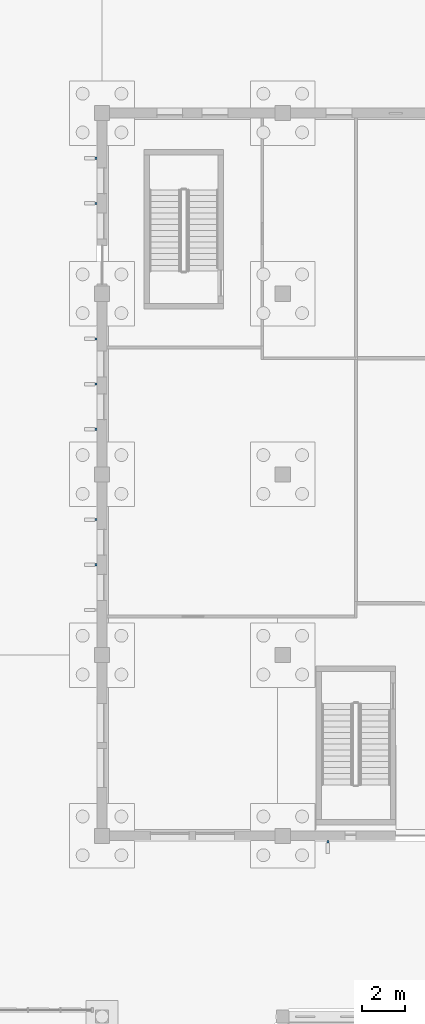
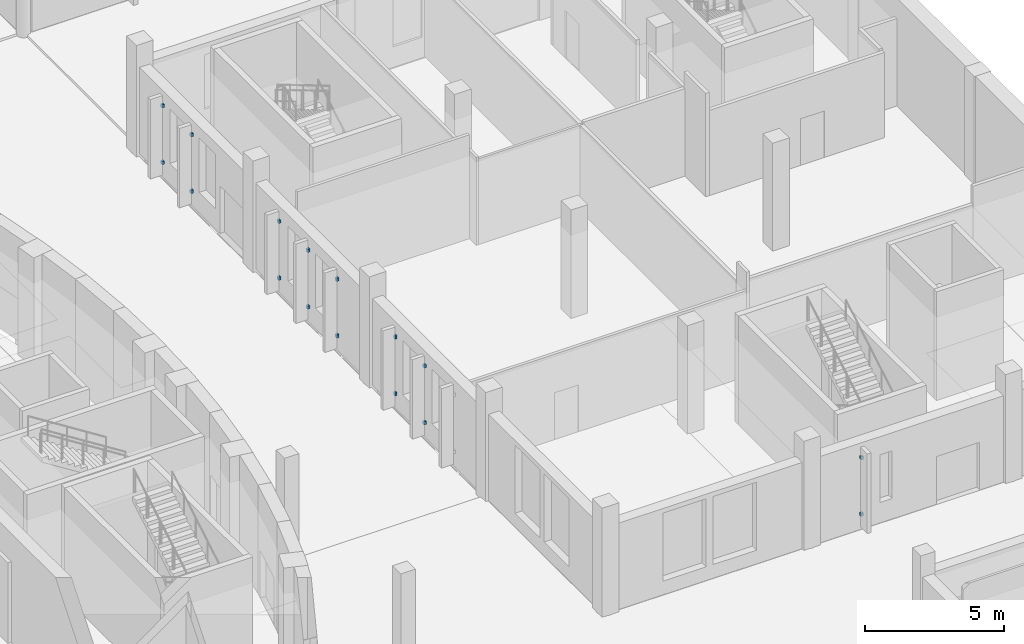
# One storey, part 76 of 110: 16 discrete accessories.
"""IFC4 building model written with IfcOpenShell, lengths in metres."""

from ifc_helpers import new_model, si_unit, direction, frame, origin, origin_2d, place, context, subcontext, project, spatial, rectangle, extrude, material, layer, layer_set, type_object, element, save


model = new_model("IFC4")

# Units and contexts
model_context = context("Model", 3, precision=1e-05, world=origin(), true_north=direction((0.0, 1.0)))
body_context = subcontext(model_context, "Body", "Model", "MODEL_VIEW")
ifc_project = project(units=[si_unit("LENGTHUNIT", "METRE"), si_unit("AREAUNIT", "SQUARE_METRE"), si_unit("VOLUMEUNIT", "CUBIC_METRE"), si_unit("PLANEANGLEUNIT", "RADIAN"), si_unit("MASSUNIT", "GRAM", prefix="KILO")], contexts=[model_context])

# Site, building, storey
site_placement = place(None, origin())
site = spatial("IfcSite", under=ifc_project, at=site_placement, CompositionType="ELEMENT")
building_placement = place(site_placement, origin())
building = spatial("IfcBuilding", under=site, at=building_placement, Name="Larchfold Concert Hall", CompositionType="ELEMENT")
storey_placement = place(building_placement, origin())
storey = spatial("IfcBuildingStorey", under=building, at=storey_placement, Name="L00", CompositionType="ELEMENT", Elevation=0.0)

# Discrete accessories
ifc_material = material(Name="Steel S355 galvanised bracket", Category="steel")
ifc_layer = layer(ifc_material, 0.10009765625)
ifc_layer_set = layer_set([ifc_layer], Name="Steel S355 galvanised bracket")
discrete_accessory_type = type_object("IfcDiscreteAccessoryType", Name="Fin support bracket", PredefinedType="BRACKET", material=ifc_layer_set)
for number, where, z_axis, x_axis, name in (
    (1, (75.925048828125, 97.199951171875, 0.6298828125), (0.0, 0.0, 1.0), (-1.0, 0.0, 0.0), "Fin bracket FN-L00-021-1"),
    (2, (75.925048828125, 97.199951171875, 3.1298828125), (0.0, 0.0, 1.0), (-1.0, 0.0, 0.0), "Fin bracket FN-L00-021-2"),
    (3, (75.925048828125, 99.300048828125, 0.6298828125), (0.0, 0.0, 1.0), (-1.0, 0.0, 0.0), "Fin bracket FN-L00-022-1"),
    (4, (75.925048828125, 99.300048828125, 3.1298828125), (0.0, 0.0, 1.0), (-1.0, 0.0, 0.0), "Fin bracket FN-L00-022-2"),
    (5, (75.925048828125, 86.699951171875, 0.6298828125), (0.0, 0.0, 1.0), (-1.0, 0.0, 0.0), "Fin bracket FN-L00-023-1"),
    (6, (75.925048828125, 86.699951171875, 3.1298828125), (0.0, 0.0, 1.0), (-1.0, 0.0, 0.0), "Fin bracket FN-L00-023-2"),
    (7, (75.925048828125, 88.800048828125, 0.6298828125), (0.0, 0.0, 1.0), (-1.0, 0.0, 0.0), "Fin bracket FN-L00-024-1"),
    (8, (75.925048828125, 88.800048828125, 3.1298828125), (0.0, 0.0, 1.0), (-1.0, 0.0, 0.0), "Fin bracket FN-L00-024-2"),
    (9, (75.925048828125, 90.89990234375, 0.6298828125), (0.0, 0.0, 1.0), (-1.0, 0.0, 0.0), "Fin bracket FN-L00-025-1"),
    (10, (75.925048828125, 90.89990234375, 3.1298828125), (0.0, 0.0, 1.0), (-1.0, 0.0, 0.0), "Fin bracket FN-L00-025-2"),
    (11, (75.925048828125, 80.39990234375, 0.6298828125), (0.0, 0.0, 1.0), (-1.0, 0.0, 0.0), "Fin bracket FN-L00-027-1"),
    (12, (75.925048828125, 80.39990234375, 3.1298828125), (0.0, 0.0, 1.0), (-1.0, 0.0, 0.0), "Fin bracket FN-L00-027-2"),
    (13, (75.925048828125, 82.5, 0.6298828125), (0.0, 0.0, 1.0), (-1.0, 0.0, 0.0), "Fin bracket FN-L00-028-1"),
    (14, (75.925048828125, 82.5, 3.1298828125), (0.0, 0.0, 1.0), (-1.0, 0.0, 0.0), "Fin bracket FN-L00-028-2"),
    (15, (86.699951171875, 67.525146484375, 0.6298828125), (0.0, 0.0, 1.0), (0.0, -1.0, 0.0), "Fin bracket FN-L00-029-1"),
    (16, (86.699951171875, 67.525146484375, 3.1298828125), (0.0, 0.0, 1.0), (0.0, -1.0, 0.0), "Fin bracket FN-L00-029-2"),
):
    element("IfcDiscreteAccessory", number, at=place(storey_placement, frame(where, z_axis=z_axis, x_axis=x_axis)), inside=storey, type_object=discrete_accessory_type, Name=name, PredefinedType="BRACKET", context=body_context, shape_type="SweptSolid", body=[
        extrude(rectangle(XDim=0.10009765625, YDim=0.10009765625, at=origin_2d()), origin(), (0.0, 0.0, 1.0), 0.139892578125),
    ])

save(model, "model.ifc")
